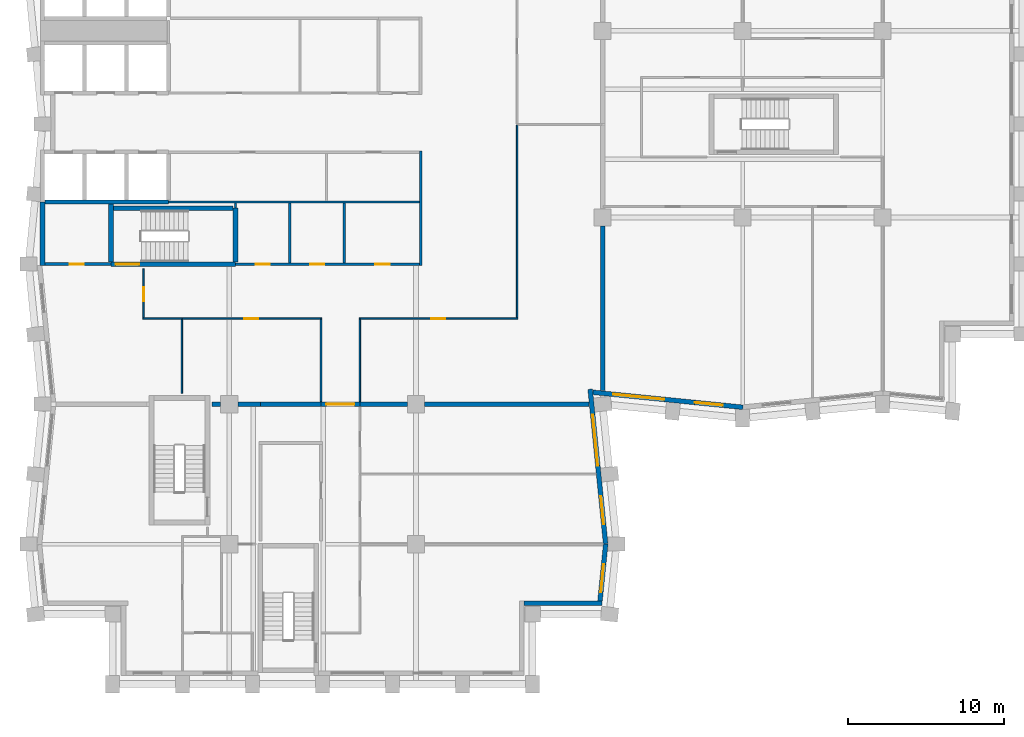
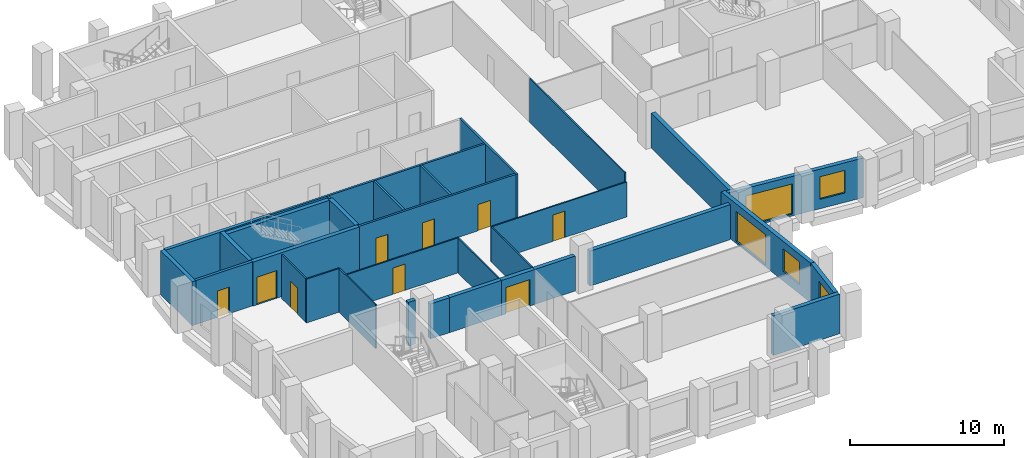
# One storey, part 4 of 10: 32 walls, 9 doors, 5 windows, 14 openings.
"""IFC4 building model written with IfcOpenShell, lengths in metres."""

import ifcopenshell
import ifcopenshell.guid

model = None  # the IFC model being written
_history = None  # IfcOwnerHistory: only IFC2X3 demands one
_inside = {}  # id of a spatial element -> (the spatial element, [elements in it])
_under = {}  # id of a project, library or spatial element -> (it, [spatial elements below it])
_declared = {}  # id of a project -> (the project, [libraries it declares])
_typed = {}  # id of a type object -> (the type object, [elements of that type])
_made_of = {}  # id of a material, layer set ... -> (it, [elements and type objects made of it])


def new_model(schema):
    """Start an empty IFC model of exactly this schema.

    Asked for "IFC4X3", IfcOpenShell would pick the latest addendum, in which some entities
    have other attributes; the version numbers below select the first issue.
    IFC2X3 requires an IfcOwnerHistory on every rooted entity: one is made here for all.
    """
    global model, _history
    if schema == "IFC4X3":
        model = ifcopenshell.file(schema_version=(4, 3, 0, 0))
    else:
        model = ifcopenshell.file(schema=schema)
    _inside.clear()
    _under.clear()
    _declared.clear()
    _typed.clear()
    _made_of.clear()
    _history = None
    if model.schema == "IFC2X3":
        org = make("IfcOrganization", Name="unknown")
        user = make(
            "IfcPersonAndOrganization",
            ThePerson=make("IfcPerson", FamilyName="unknown"),
            TheOrganization=org,
        )
        app = make(
            "IfcApplication",
            ApplicationDeveloper=org,
            Version="unknown",
            ApplicationFullName="unknown",
            ApplicationIdentifier="unknown",
        )
        _history = make(
            "IfcOwnerHistory",
            OwningUser=user,
            OwningApplication=app,
            ChangeAction="ADDED",
            CreationDate=0,
        )
    return model


def make(cls, **values):
    """One entity of the class cls with the attributes given. An attribute that is None is left unset."""
    return model.create_entity(
        cls, **{name: value for name, value in values.items() if value is not None}
    )


def rooted(cls, **values):
    """An entity with a GlobalId (a new one), such as an element, a storey or a relation."""
    return make(cls, GlobalId=ifcopenshell.guid.new(), OwnerHistory=_history, **values)


def si_unit(unit_type, name, prefix=None):
    """IfcSIUnit, for example si_unit("LENGTHUNIT", "METRE", prefix="MILLI")."""
    return make("IfcSIUnit", UnitType=unit_type, Prefix=prefix, Name=name)


def assignment(units):
    """IfcUnitAssignment: the units of a project."""
    return None if units is None else make("IfcUnitAssignment", Units=units)


def point(xyz):
    """IfcCartesianPoint."""
    return None if xyz is None else make("IfcCartesianPoint", Coordinates=xyz)


def direction(xyz):
    """IfcDirection."""
    return None if xyz is None else make("IfcDirection", DirectionRatios=xyz)


def frame(location, z_axis=None, x_axis=None):
    """IfcAxis2Placement3D, a coordinate frame: its origin and axes. An axis left out is left unset."""
    return make(
        "IfcAxis2Placement3D",
        Location=point(location),
        Axis=direction(z_axis),
        RefDirection=direction(x_axis),
    )


def frame_2d(location, x_axis=None):
    """IfcAxis2Placement2D, a coordinate frame in the plane: its origin and x axis."""
    return make(
        "IfcAxis2Placement2D", Location=point(location), RefDirection=direction(x_axis)
    )


def origin():
    """The frame at (0, 0, 0) with its axes left unset."""
    return frame((0.0, 0.0, 0.0))


def place(relative_to, where):
    """IfcLocalPlacement: puts the frame where relative to a parent placement (None: the world)."""
    return make(
        "IfcLocalPlacement", PlacementRelTo=relative_to, RelativePlacement=where
    )


def context(
    kind, dimensions, precision=None, world=None, true_north=None, identifier=None
):
    """IfcGeometricRepresentationContext, for example the 3D "Model" context."""
    return make(
        "IfcGeometricRepresentationContext",
        ContextIdentifier=identifier,
        ContextType=kind,
        CoordinateSpaceDimension=dimensions,
        Precision=precision,
        WorldCoordinateSystem=world,
        TrueNorth=true_north,
    )


def subcontext(parent, identifier, kind, view, scale=None):
    """IfcGeometricRepresentationSubContext, for example "Body" below "Model"."""
    return make(
        "IfcGeometricRepresentationSubContext",
        ContextIdentifier=identifier,
        ContextType=kind,
        ParentContext=parent,
        TargetScale=scale,
        TargetView=view,
    )


def project(units=None, contexts=None):
    """IfcProject with its units and contexts."""
    return rooted(
        "IfcProject",
        Name="project",
        RepresentationContexts=contexts,
        UnitsInContext=assignment(units),
    )


def spatial(cls, under=None, at=None, **own):
    """A site, building, storey or space (cls), placed at a placement, below another one or the project."""
    s = rooted(cls, ObjectPlacement=at, **own)
    if under is not None:
        _under.setdefault(under.id(), (under, []))[1].append(s)
    return s


def profile(cls, at=None, kind="AREA", **sizes):
    """A parametric profile (cls). Its sizes go by their IFC names, for example OverallWidth=200.0."""
    return make(cls, ProfileType=kind, Position=at, **sizes)


def rectangle(**sizes):
    """IfcRectangleProfileDef."""
    return profile("IfcRectangleProfileDef", **sizes)


def extrude(swept, where, along, depth):
    """IfcExtrudedAreaSolid: the profile swept, set in the frame where, extruded along a direction by depth."""
    return make(
        "IfcExtrudedAreaSolid",
        SweptArea=swept,
        Position=where,
        ExtrudedDirection=direction(along),
        Depth=depth,
    )


def shape(context_of_items, identifier, shape_type, items):
    """IfcShapeRepresentation: the items that make up one representation, for example the "Body"."""
    return make(
        "IfcShapeRepresentation",
        ContextOfItems=context_of_items,
        RepresentationIdentifier=identifier,
        RepresentationType=shape_type,
        Items=items,
    )


def material(Name=None, Category=None):
    """IfcMaterial."""
    return make("IfcMaterial", Name=Name, Category=Category)


def layer(
    of_material, thickness, ventilated=None, Name=None, Category=None, Priority=None
):
    """IfcMaterialLayer: one layer of a wall or slab, of a material (None: an air gap)."""
    return make(
        "IfcMaterialLayer",
        Material=of_material,
        LayerThickness=thickness,
        IsVentilated=ventilated,
        Name=Name,
        Category=Category,
        Priority=Priority,
    )


def layer_set(layers, Name=None):
    """IfcMaterialLayerSet."""
    return make("IfcMaterialLayerSet", MaterialLayers=layers, LayerSetName=Name)


def made_of(thing, what):
    """Note that an element or type object is made of a material, layer set ...; save() writes the relation."""
    if what is not None:
        _made_of.setdefault(what.id(), (what, []))[1].append(thing)
    return thing


def type_object(cls, material=None, **own):
    """A type object (cls), such as IfcWallType, which elements share."""
    return made_of(rooted(cls, **own), material)


def element(
    cls,
    number,
    at=None,
    inside=None,
    cuts=None,
    type_object=None,
    material=None,
    context=None,
    identifier="Body",
    shape_type=None,
    held_by="IfcProductDefinitionShape",
    body=None,
    shapes=None,
    **own,
):
    """One element of the class cls, such as IfcWall. Its Tag is "e" and its number.

    at: its placement. inside: the storey or other place that contains it. cuts: it is an
    opening in that element (IfcRelVoidsElement). A single representation is given by context,
    identifier, shape_type and body (its items); several are given by shapes. held_by: the class
    of the entity that holds the representations. save() writes the other relations.
    """
    e = rooted(cls, Tag="e%d" % number, ObjectPlacement=at, **own)
    if body is not None:
        shapes = [shape(context, identifier, shape_type, body)]
    if shapes is not None:
        e.Representation = make(held_by, Representations=shapes)
    if inside is not None:
        _inside.setdefault(inside.id(), (inside, []))[1].append(e)
    if cuts is not None:
        rooted(
            "IfcRelVoidsElement", RelatingBuildingElement=cuts, RelatedOpeningElement=e
        )
    if type_object is not None:
        _typed.setdefault(type_object.id(), (type_object, []))[1].append(e)
    return made_of(e, material)


def fill(opening, filler):
    """IfcRelFillsElement: the door or window that sits in an opening."""
    return rooted(
        "IfcRelFillsElement",
        RelatingOpeningElement=opening,
        RelatedBuildingElement=filler,
    )


def aggregate(whole, parts):
    """IfcRelAggregates: a whole, such as a stair, and the parts it consists of."""
    return rooted("IfcRelAggregates", RelatingObject=whole, RelatedObjects=parts)


def save(model, path):
    """Write the relations noted so far, then the file.

    IfcRelAggregates (storeys below a building ...), IfcRelContainedInSpatialStructure (elements
    in a storey), IfcRelDefinesByType, IfcRelAssociatesMaterial and IfcRelDeclares: one each for
    every whole, place, type object, material and project.
    """
    for whole, parts in _under.values():
        aggregate(whole, parts)
    for where, things in _inside.values():
        rooted(
            "IfcRelContainedInSpatialStructure",
            RelatedElements=things,
            RelatingStructure=where,
        )
    for kind, things in _typed.values():
        rooted("IfcRelDefinesByType", RelatedObjects=things, RelatingType=kind)
    for what, things in _made_of.values():
        rooted("IfcRelAssociatesMaterial", RelatedObjects=things, RelatingMaterial=what)
    for by, libraries in _declared.values():
        rooted("IfcRelDeclares", RelatingContext=by, RelatedDefinitions=libraries)
    model.write(path)


model = new_model("IFC4")

# Units and contexts
model_context = context("Model", 3, precision=1e-05, world=origin(), true_north=direction((0.0, 1.0)))
body_context = subcontext(model_context, "Body", "Model", "MODEL_VIEW")
ifc_project = project(units=[si_unit("LENGTHUNIT", "METRE"), si_unit("AREAUNIT", "SQUARE_METRE"), si_unit("VOLUMEUNIT", "CUBIC_METRE"), si_unit("PLANEANGLEUNIT", "RADIAN"), si_unit("MASSUNIT", "GRAM", prefix="KILO")], contexts=[model_context])

# Site, building, storey
site_placement = place(None, origin())
site = spatial("IfcSite", under=ifc_project, at=site_placement, CompositionType="ELEMENT")
building_placement = place(site_placement, origin())
building = spatial("IfcBuilding", under=site, at=building_placement, Name="Brondeck Convention Tower", CompositionType="ELEMENT")
storey_placement = place(building_placement, frame((0.0, 0.0, 162.39990234375)))
storey = spatial("IfcBuildingStorey", under=building, at=storey_placement, Name="L39", CompositionType="ELEMENT", Elevation=162.39990234375)

# Walls
ifc_material_1 = material(Name="Concrete compartment wall C30/37", Category="concrete")
ifc_layer_1 = layer(ifc_material_1, 0.300048828125)
ifc_layer_set_1 = layer_set([ifc_layer_1], Name="Compartment wall 300")
wall_type_1 = type_object("IfcWallType", Name="Compartment wall 300", PredefinedType="PARTITIONING", material=ifc_layer_set_1)
wall_1_placement = place(storey_placement, frame((10.89990234375, 27.0, 0.0), z_axis=(0.0, 0.0, 1.0), x_axis=(1.0, 0.0, 0.0)))
element("IfcWall", 1, at=wall_1_placement, inside=storey, type_object=wall_type_1, Name="FLR-L39-W023", PredefinedType="PARTITIONING", context=body_context, shape_type="SweptSolid", body=[
    extrude(rectangle(XDim=0.545166015625, YDim=0.300048828125, at=frame_2d((0.2724609375, 0.0))), origin(), (0.0, 0.0, 1.0), 3.47998046875),
])
wall_2_placement = place(storey_placement, frame((12.554931640625, 27.0, 0.0), z_axis=(0.0, 0.0, 1.0), x_axis=(1.0, 0.0, 0.0)))
element("IfcWall", 2, at=wall_2_placement, inside=storey, type_object=wall_type_1, Name="FLR-L39-W024", PredefinedType="PARTITIONING", context=body_context, shape_type="SweptSolid", body=[
    extrude(rectangle(XDim=1.445068359375, YDim=0.300048828125, at=frame_2d((0.72265625, 0.0))), origin(), (0.0, 0.0, 1.0), 2.780029296875),
])
wall_3_placement = place(storey_placement, frame((14.0, 27.0, 0.0), z_axis=(0.0, 0.0, 1.0), x_axis=(1.0, 0.0, 0.0)))
element("IfcWall", 3, at=wall_3_placement, inside=storey, type_object=wall_type_1, Name="FLR-L39-W025", PredefinedType="PARTITIONING", context=body_context, shape_type="SweptSolid", body=[
    extrude(rectangle(XDim=3.89990234375, YDim=0.300048828125, at=frame_2d((1.949951171875, 0.0))), origin(), (0.0, 0.0, 1.0), 2.780029296875),
])

# Wall, opening, door
wall_4_placement = place(storey_placement, frame((20.39990234375, 27.0, 0.0), z_axis=(0.0, 0.0, 1.0), x_axis=(-1.0, 0.0, 0.0)))
wall_4 = element("IfcWall", 4, at=wall_4_placement, inside=storey, type_object=wall_type_1, Name="FLR-L39-W026", PredefinedType="PARTITIONING", context=body_context, shape_type="SweptSolid", body=[
    extrude(rectangle(XDim=2.5, YDim=0.300048828125, at=frame_2d((1.25, 0.0))), origin(), (0.0, 0.0, 1.0), 2.780029296875),
])
opening_1_placement = place(wall_4_placement, frame((0.35009765625, 0.0, 0.0)))
opening_1 = element("IfcOpeningElement", 5, at=opening_1_placement, cuts=wall_4, Name="Opening OF-G-017", PredefinedType="OPENING", context=body_context, shape_type="SweptSolid", body=[
    extrude(rectangle(XDim=1.800048828125, YDim=2.10009765625, at=frame_2d((0.89990234375, 1.050048828125))), frame((0.0, 0.159912109375, 0.0), z_axis=(0.0, -1.0, 0.0), x_axis=(1.0, 0.0, 0.0)), (0.0, 0.0, 1.0), 0.320068359375),
])
ifc_material_2 = material(Name="Steel fire door pair", Category="steel")
door_type_1 = type_object("IfcDoorType", Name="Fire door pair 1800", OperationType="DOUBLE_DOOR_SINGLE_SWING", PredefinedType="DOOR", material=ifc_material_2)
door_1_placement = place(opening_1_placement, origin())
door_1 = element("IfcDoor", 6, at=door_1_placement, inside=storey, type_object=door_type_1, Name="Door OF-G-017", OperationType="DOUBLE_DOOR_SINGLE_SWING", OverallHeight=2.10009765625, OverallWidth=1.800048828125, PredefinedType="DOOR", context=body_context, shape_type="SweptSolid", body=[
    extrude(rectangle(XDim=1.800048828125, YDim=2.10009765625, at=frame_2d((0.89990234375, 1.050048828125))), frame((0.0, 0.02490234375, 0.0), z_axis=(0.0, -1.0, 0.0), x_axis=(1.0, 0.0, 0.0)), (0.0, 0.0, 1.0), 0.050048828125),
])
fill(opening_1, door_1)

# Walls
wall_5_placement = place(storey_placement, frame((20.39990234375, 27.0, 0.0), z_axis=(0.0, 0.0, 1.0), x_axis=(1.0, 0.0, 0.0)))
element("IfcWall", 7, at=wall_5_placement, inside=storey, type_object=wall_type_1, Name="FLR-L39-W027", PredefinedType="PARTITIONING", context=body_context, shape_type="SweptSolid", body=[
    extrude(rectangle(XDim=3.045166015625, YDim=0.300048828125, at=frame_2d((1.5224609375, 0.0))), origin(), (0.0, 0.0, 1.0), 2.780029296875),
])
for number, where, z_axis, x_axis, name in (
    (8, (24.554931640625, 27.0, 0.0), (0.0, 0.0, 1.0), (1.0, 0.0, 0.0), "FLR-L39-W028"),
    (9, (36.0, 27.874267578125, 0.0), (0.0, 0.0, 1.0), (0.0, 1.0, 0.0), "FLR-L39-W031"),
):
    element("IfcWall", number, at=place(storey_placement, frame(where, z_axis=z_axis, x_axis=x_axis)), inside=storey, type_object=wall_type_1, Name=name, PredefinedType="PARTITIONING", context=body_context, shape_type="SweptSolid", body=[
        extrude(rectangle(XDim=10.57080078125, YDim=0.300048828125, at=frame_2d((5.285400390625, 0.0))), origin(), (0.0, 0.0, 1.0), 2.780029296875),
    ])

# Wall, openings, doors
ifc_material_3 = material(Name="Concrete C70/85", Category="concrete")
ifc_layer_2 = layer(ifc_material_3, 0.14990234375)
ifc_layer_set_2 = layer_set([ifc_layer_2], Name="Core beam-seat wall 150 Concrete C70/85")
wall_type_2 = type_object("IfcWallType", Name="Core beam-seat wall 150 Concrete C70/85", PredefinedType="SHEAR", material=ifc_layer_set_2)
wall_6_placement = place(storey_placement, frame((12.39990234375, 36.0, 0.0), z_axis=(0.0, 0.0, 1.0), x_axis=(1.0, 0.0, 0.0)))
wall_6 = element("IfcWall", 10, at=wall_6_placement, inside=storey, type_object=wall_type_2, Name="L39 core wall", PredefinedType="SHEAR", context=body_context, shape_type="SweptSolid", body=[
    extrude(rectangle(XDim=11.8251953125, YDim=0.14990234375, at=frame_2d((5.91259765625, 0.0))), origin(), (0.0, 0.0, 1.0), 3.5),
])
opening_2_placement = place(wall_6_placement, frame((1.300048828125, 0.0, 0.0)))
opening_2 = element("IfcOpeningElement", 11, at=opening_2_placement, cuts=wall_6, Name="Opening C22-03", PredefinedType="OPENING", context=body_context, shape_type="SweptSolid", body=[
    extrude(rectangle(XDim=0.89990234375, YDim=2.10009765625, at=frame_2d((0.449951171875, 1.050048828125))), frame((0.0, 0.0849609375, 0.0), z_axis=(0.0, -1.0, 0.0), x_axis=(1.0, 0.0, 0.0)), (0.0, 0.0, 1.0), 0.169921875),
])
opening_3_placement = place(wall_6_placement, frame((4.800048828125, 0.0, 0.0)))
opening_3 = element("IfcOpeningElement", 12, at=opening_3_placement, cuts=wall_6, Name="Opening C22-04", PredefinedType="OPENING", context=body_context, shape_type="SweptSolid", body=[
    extrude(rectangle(XDim=0.89990234375, YDim=2.10009765625, at=frame_2d((0.449951171875, 1.050048828125))), frame((0.0, 0.0849609375, 0.0), z_axis=(0.0, -1.0, 0.0), x_axis=(1.0, 0.0, 0.0)), (0.0, 0.0, 1.0), 0.169921875),
])
opening_4_placement = place(wall_6_placement, frame((8.97509765625, 0.0, 0.0)))
opening_4 = element("IfcOpeningElement", 13, at=opening_4_placement, cuts=wall_6, Name="Opening C22-05", PredefinedType="OPENING", context=body_context, shape_type="SweptSolid", body=[
    extrude(rectangle(XDim=0.949951171875, YDim=2.10009765625, at=frame_2d((0.47509765625, 1.050048828125))), frame((0.0, 0.0849609375, 0.0), z_axis=(0.0, -1.0, 0.0), x_axis=(1.0, 0.0, 0.0)), (0.0, 0.0, 1.0), 0.169921875),
])
ifc_material_4 = material(Name="Steel fire door", Category="steel")
door_type_2 = type_object("IfcDoorType", Name="Room door 900x2100 EI 60", OperationType="NOTDEFINED", PredefinedType="DOOR", material=ifc_material_4)
door_2_placement = place(opening_2_placement, origin())
door_2 = element("IfcDoor", 14, at=door_2_placement, inside=storey, type_object=door_type_2, Name="L39 Room door FR-1", OperationType="SINGLE_SWING_RIGHT", OverallHeight=2.10009765625, OverallWidth=0.89990234375, PredefinedType="DOOR", context=body_context, shape_type="SweptSolid", body=[
    extrude(rectangle(XDim=0.89990234375, YDim=2.10009765625, at=frame_2d((0.449951171875, 1.050048828125))), frame((0.0, 0.02490234375, 0.0), z_axis=(0.0, -1.0, 0.0), x_axis=(1.0, 0.0, 0.0)), (0.0, 0.0, 1.0), 0.050048828125),
])
fill(opening_2, door_2)
door_3_placement = place(opening_3_placement, origin())
door_3 = element("IfcDoor", 15, at=door_3_placement, inside=storey, type_object=door_type_2, Name="L39 Room door FR-2", OperationType="SINGLE_SWING_LEFT", OverallHeight=2.10009765625, OverallWidth=0.89990234375, PredefinedType="DOOR", context=body_context, shape_type="SweptSolid", body=[
    extrude(rectangle(XDim=0.89990234375, YDim=2.10009765625, at=frame_2d((0.449951171875, 1.050048828125))), frame((0.0, 0.02490234375, 0.0), z_axis=(0.0, -1.0, 0.0), x_axis=(1.0, 0.0, 0.0)), (0.0, 0.0, 1.0), 0.050048828125),
])
fill(opening_3, door_3)
door_type_3 = type_object("IfcDoorType", Name="Room door 950x2100 EI 60", OperationType="NOTDEFINED", PredefinedType="DOOR", material=ifc_material_4)
door_4_placement = place(opening_4_placement, origin())
door_4 = element("IfcDoor", 16, at=door_4_placement, inside=storey, type_object=door_type_3, Name="L39 Room door FR-3", OperationType="SINGLE_SWING_RIGHT", OverallHeight=2.10009765625, OverallWidth=0.949951171875, PredefinedType="DOOR", context=body_context, shape_type="SweptSolid", body=[
    extrude(rectangle(XDim=0.949951171875, YDim=2.10009765625, at=frame_2d((0.47509765625, 1.050048828125))), frame((0.0, 0.02490234375, 0.0), z_axis=(0.0, -1.0, 0.0), x_axis=(1.0, 0.0, 0.0)), (0.0, 0.0, 1.0), 0.050048828125),
])
fill(opening_4, door_4)

# Walls
ifc_layer_3 = layer(ifc_material_3, 0.300048828125)
ifc_layer_set_3 = layer_set([ifc_layer_3], Name="Core outer wall 300 Concrete C70/85")
wall_type_3 = type_object("IfcWallType", Name="Core outer wall 300 Concrete C70/85", PredefinedType="SHEAR", material=ifc_layer_set_3)
wall_7_placement = place(storey_placement, frame((0.0, 35.89990234375, 0.0), z_axis=(0.0, 0.0, 1.0), x_axis=(0.0, 1.0, 0.0)))
element("IfcWall", 17, at=wall_7_placement, inside=storey, type_object=wall_type_3, Name="L39 core wall", PredefinedType="SHEAR", context=body_context, shape_type="SweptSolid", body=[
    extrude(rectangle(XDim=4.10009765625, YDim=0.300048828125, at=frame_2d((2.050048828125, 0.0))), origin(), (0.0, 0.0, 1.0), 3.5),
])
ifc_material_5 = material(Name="Fire-rated gypsum board partition")
ifc_layer_4 = layer(ifc_material_5, 0.14990234375)
ifc_layer_set_4 = layer_set([ifc_layer_4], Name="Core partition 150 EI 60")
wall_type_4 = type_object("IfcWallType", Name="Core partition 150 EI 60", PredefinedType="PARTITIONING", material=ifc_layer_set_4)
wall_8_placement = place(storey_placement, frame((8.10009765625, 40.0, 0.0), z_axis=(0.0, 0.0, 1.0), x_axis=(1.0, 0.0, 0.0)))
element("IfcWall", 18, at=wall_8_placement, inside=storey, type_object=wall_type_4, Name="L39 core wall", PredefinedType="PARTITIONING", context=body_context, shape_type="SweptSolid", body=[
    extrude(rectangle(XDim=16.125, YDim=0.14990234375, at=frame_2d((8.0625, 0.0))), origin(), (0.0, 0.0, 1.0), 3.5),
])
wall_9_placement = place(storey_placement, frame((12.39990234375, 39.60009765625, 0.0), z_axis=(0.0, 0.0, 1.0), x_axis=(0.0, 1.0, 0.0)))
element("IfcWall", 19, at=wall_9_placement, inside=storey, type_object=wall_type_4, Name="L39 core wall", PredefinedType="PARTITIONING", context=body_context, shape_type="SweptSolid", body=[
    extrude(rectangle(XDim=0.324951171875, YDim=0.14990234375, at=frame_2d((0.16259765625, 0.0))), origin(), (0.0, 0.0, 1.0), 3.5),
])
for number, where, z_axis, x_axis, name in (
    (20, (15.89990234375, 36.074951171875, 0.0), (0.0, 0.0, 1.0), (0.0, 1.0, 0.0), "L39 core wall"),
    (21, (19.39990234375, 36.074951171875, 0.0), (0.0, 0.0, 1.0), (0.0, 1.0, 0.0), "L39 core wall"),
):
    element("IfcWall", number, at=place(storey_placement, frame(where, z_axis=z_axis, x_axis=x_axis)), inside=storey, type_object=wall_type_4, Name=name, PredefinedType="PARTITIONING", context=body_context, shape_type="SweptSolid", body=[
        extrude(rectangle(XDim=3.85009765625, YDim=0.14990234375, at=frame_2d((1.925048828125, 0.0))), origin(), (0.0, 0.0, 1.0), 3.5),
    ])
wall_10_placement = place(storey_placement, frame((24.300048828125, 35.925048828125, 0.0), z_axis=(0.0, 0.0, 1.0), x_axis=(0.0, 1.0, 0.0)))
element("IfcWall", 22, at=wall_10_placement, inside=storey, type_object=wall_type_4, Name="L39 core wall", PredefinedType="PARTITIONING", context=body_context, shape_type="SweptSolid", body=[
    extrude(rectangle(XDim=7.349853515625, YDim=0.14990234375, at=frame_2d((3.6748046875, 0.0))), origin(), (0.0, 0.0, 1.0), 3.5),
])
ifc_material_6 = material(Name="Precast concrete C50/60 bronze finish", Category="concrete")
ifc_layer_5 = layer(ifc_material_6, 0.070068359375, Name="Bronze precast facing")
ifc_material_7 = material(Name="Mineral wool")
ifc_layer_6 = layer(ifc_material_7, 0.159912109375, Name="Insulation")
ifc_material_8 = material(Name="Concrete C35/45", Category="concrete")
ifc_layer_7 = layer(ifc_material_8, 0.070068359375, Name="Backing")
ifc_layer_set_5 = layer_set([ifc_layer_5, ifc_layer_6, ifc_layer_7], Name="External infill wall, precast concrete C50/60 bronze facing")
wall_type_5 = type_object("IfcWallType", Name="External infill wall, precast concrete C50/60 bronze facing", PredefinedType="SOLIDWALL", material=ifc_layer_set_5)
wall_11_placement = place(storey_placement, frame((35.952392578125, 14.199951171875, 0.0), z_axis=(0.0, 0.0, 1.0), x_axis=(-1.0, 0.0, 0.0)))
element("IfcWall", 23, at=wall_11_placement, inside=storey, type_object=wall_type_5, Name="ENV-EW-L39-P1-NC-SEB9-02", PredefinedType="SOLIDWALL", context=body_context, shape_type="SweptSolid", body=[
    extrude(rectangle(XDim=5.00244140625, YDim=0.300048828125, at=frame_2d((2.501220703125, 0.0))), origin(), (0.0, 0.0, 1.0), 3.150146484375),
])

# Wall, opening, window
wall_12_placement = place(storey_placement, frame((36.197998046875, 18.014892578125, 0.0), z_axis=(0.0, 0.0, 1.0), x_axis=(-0.099529980022, -0.99503456376, 0.0)))
wall_12 = element("IfcWall", 24, at=wall_12_placement, inside=storey, type_object=wall_type_5, Name="ENV-EW-L39-P1-B-E-02", PredefinedType="SOLIDWALL", context=body_context, shape_type="SweptSolid", body=[
    extrude(rectangle(XDim=3.681884765625, YDim=0.300048828125, at=frame_2d((1.8408203125, 0.0))), origin(), (0.0, 0.0, 1.0), 3.150146484375),
])
opening_5_placement = place(wall_12_placement, frame((1.30615234375, 0.0, 0.75)))
opening_5 = element("IfcOpeningElement", 25, at=opening_5_placement, cuts=wall_12, Name="Opening W10", PredefinedType="OPENING", context=body_context, shape_type="SweptSolid", body=[
    extrude(rectangle(XDim=1.800048828125, YDim=1.800048828125, at=frame_2d((0.89990234375, 0.89990234375))), frame((0.0, 0.159912109375, 0.0), z_axis=(0.0, -1.0, 0.0), x_axis=(1.0, 0.0, 0.0)), (0.0, 0.0, 1.0), 0.320068359375),
])
ifc_material_9 = material(Name="Bronze tinted double glazing", Category="glass")
window_type_1 = type_object("IfcWindowType", Name="Punched window, bronze tinted", PartitioningType="SINGLE_PANEL", PredefinedType="WINDOW", material=ifc_material_9)
window_1_placement = place(opening_5_placement, origin())
window_1 = element("IfcWindow", 26, at=window_1_placement, inside=storey, type_object=window_type_1, Name="ENV-WN-L39-P1-B-E-02", OverallHeight=1.800048828125, OverallWidth=1.800048828125, PartitioningType="SINGLE_PANEL", PredefinedType="WINDOW", context=body_context, shape_type="SweptSolid", body=[
    extrude(rectangle(XDim=1.800048828125, YDim=1.800048828125, at=frame_2d((0.89990234375, 0.89990234375))), frame((0.0, 0.030029296875, 0.0), z_axis=(0.0, -1.0, 0.0), x_axis=(1.0, 0.0, 0.0)), (0.0, 0.0, 1.0), 0.06005859375),
])
fill(opening_5, window_1)

# Wall, openings, windows
wall_13_placement = place(storey_placement, frame((35.2001953125, 27.964111328125, 0.0), z_axis=(0.0, 0.0, 1.0), x_axis=(0.099501297882, -0.995037432321, 0.0)))
wall_13 = element("IfcWall", 27, at=wall_13_placement, inside=storey, type_object=wall_type_5, Name="ENV-EW-L39-P1-B-E-01", PredefinedType="SOLIDWALL", context=body_context, shape_type="SweptSolid", body=[
    extrude(rectangle(XDim=9.98388671875, YDim=0.300048828125, at=frame_2d((4.991943359375, 0.0))), origin(), (0.0, 0.0, 1.0), 3.150146484375),
])
opening_6_placement = place(wall_13_placement, frame((1.650146484375, 0.0, 0.14990234375)))
opening_6 = element("IfcOpeningElement", 28, at=opening_6_placement, cuts=wall_13, Name="Opening W9", PredefinedType="OPENING", context=body_context, shape_type="SweptSolid", body=[
    extrude(rectangle(XDim=3.300048828125, YDim=2.39990234375, at=frame_2d((1.64990234375, 1.199951171875))), frame((0.0, 0.159912109375, 0.0), z_axis=(0.0, -1.0, 0.0), x_axis=(1.0, 0.0, 0.0)), (0.0, 0.0, 1.0), 0.320068359375),
])
opening_7_placement = place(wall_13_placement, frame((6.922607421875, 0.0, 0.75)))
opening_7 = element("IfcOpeningElement", 29, at=opening_7_placement, cuts=wall_13, Name="Opening W10", PredefinedType="OPENING", context=body_context, shape_type="SweptSolid", body=[
    extrude(rectangle(XDim=1.800048828125, YDim=1.800048828125, at=frame_2d((0.89990234375, 0.89990234375))), frame((0.0, 0.159912109375, 0.0), z_axis=(0.0, -1.0, 0.0), x_axis=(1.0, 0.0, 0.0)), (0.0, 0.0, 1.0), 0.320068359375),
])
window_type_2 = type_object("IfcWindowType", Name="Glazed flute window, bronze tinted", PartitioningType="SINGLE_PANEL", PredefinedType="WINDOW", material=ifc_material_9)
window_2_placement = place(opening_6_placement, origin())
window_2 = element("IfcWindow", 30, at=window_2_placement, inside=storey, type_object=window_type_2, Name="ENV-WN-L39-P1-B-E-00", OverallHeight=2.39990234375, OverallWidth=3.300048828125, PartitioningType="SINGLE_PANEL", PredefinedType="WINDOW", context=body_context, shape_type="SweptSolid", body=[
    extrude(rectangle(XDim=3.300048828125, YDim=2.39990234375, at=frame_2d((1.64990234375, 1.199951171875))), frame((0.0, 0.030029296875, 0.0), z_axis=(0.0, -1.0, 0.0), x_axis=(1.0, 0.0, 0.0)), (0.0, 0.0, 1.0), 0.06005859375),
])
fill(opening_6, window_2)
window_3_placement = place(opening_7_placement, origin())
window_3 = element("IfcWindow", 31, at=window_3_placement, inside=storey, type_object=window_type_1, Name="ENV-WN-L39-P1-B-E-01", OverallHeight=1.800048828125, OverallWidth=1.800048828125, PartitioningType="SINGLE_PANEL", PredefinedType="WINDOW", context=body_context, shape_type="SweptSolid", body=[
    extrude(rectangle(XDim=1.800048828125, YDim=1.800048828125, at=frame_2d((0.89990234375, 0.89990234375))), frame((0.0, 0.030029296875, 0.0), z_axis=(0.0, -1.0, 0.0), x_axis=(1.0, 0.0, 0.0)), (0.0, 0.0, 1.0), 0.06005859375),
])
fill(opening_7, window_3)

wall_14_placement = place(storey_placement, frame((45.014892578125, 26.802001953125, 0.0), z_axis=(0.0, 0.0, 1.0), x_axis=(-0.995037689759, 0.099498723402, 0.0)))
wall_14 = element("IfcWall", 32, at=wall_14_placement, inside=storey, type_object=wall_type_5, Name="ENV-EW-L39-P1-A-S-00", PredefinedType="SOLIDWALL", context=body_context, shape_type="SweptSolid", body=[
    extrude(rectangle(XDim=9.677490234375, YDim=0.300048828125, at=frame_2d((4.8388671875, 0.0))), origin(), (0.0, 0.0, 1.0), 3.150146484375),
])
opening_8_placement = place(wall_14_placement, frame((1.30615234375, 0.0, 0.75)))
opening_8 = element("IfcOpeningElement", 33, at=opening_8_placement, cuts=wall_14, Name="Opening W10", PredefinedType="OPENING", context=body_context, shape_type="SweptSolid", body=[
    extrude(rectangle(XDim=1.800048828125, YDim=1.800048828125, at=frame_2d((0.89990234375, 0.89990234375))), frame((0.0, 0.159912109375, 0.0), z_axis=(0.0, -1.0, 0.0), x_axis=(1.0, 0.0, 0.0)), (0.0, 0.0, 1.0), 0.320068359375),
])
opening_9_placement = place(wall_14_placement, frame((5.07861328125, 0.0, 0.14990234375)))
opening_9 = element("IfcOpeningElement", 34, at=opening_9_placement, cuts=wall_14, Name="Opening W9", PredefinedType="OPENING", context=body_context, shape_type="SweptSolid", body=[
    extrude(rectangle(XDim=3.300048828125, YDim=2.39990234375, at=frame_2d((1.64990234375, 1.199951171875))), frame((0.0, 0.159912109375, 0.0), z_axis=(0.0, -1.0, 0.0), x_axis=(1.0, 0.0, 0.0)), (0.0, 0.0, 1.0), 0.320068359375),
])
window_4_placement = place(opening_9_placement, origin())
window_4 = element("IfcWindow", 35, at=window_4_placement, inside=storey, type_object=window_type_2, Name="ENV-WN-L39-P1-A-S-00", OverallHeight=2.39990234375, OverallWidth=3.300048828125, PartitioningType="SINGLE_PANEL", PredefinedType="WINDOW", context=body_context, shape_type="SweptSolid", body=[
    extrude(rectangle(XDim=3.300048828125, YDim=2.39990234375, at=frame_2d((1.64990234375, 1.199951171875))), frame((0.0, 0.030029296875, 0.0), z_axis=(0.0, -1.0, 0.0), x_axis=(1.0, 0.0, 0.0)), (0.0, 0.0, 1.0), 0.06005859375),
])
fill(opening_9, window_4)
window_5_placement = place(opening_8_placement, origin())
window_5 = element("IfcWindow", 36, at=window_5_placement, inside=storey, type_object=window_type_1, Name="ENV-WN-L39-P1-A-S-01", OverallHeight=1.800048828125, OverallWidth=1.800048828125, PartitioningType="SINGLE_PANEL", PredefinedType="WINDOW", context=body_context, shape_type="SweptSolid", body=[
    extrude(rectangle(XDim=1.800048828125, YDim=1.800048828125, at=frame_2d((0.89990234375, 0.89990234375))), frame((0.0, 0.030029296875, 0.0), z_axis=(0.0, -1.0, 0.0), x_axis=(1.0, 0.0, 0.0)), (0.0, 0.0, 1.0), 0.06005859375),
])
fill(opening_8, window_5)

# Wall
ifc_layer_8 = layer(ifc_material_3, 0.25)
ifc_layer_set_6 = layer_set([ifc_layer_8], Name="Lift shaft wall 250 Concrete C70/85")
wall_type_6 = type_object("IfcWallType", Name="Lift shaft wall 250 Concrete C70/85", PredefinedType="SHEAR", material=ifc_layer_set_6)
wall_15_placement = place(storey_placement, frame((0.14990234375, 40.0, 0.0), z_axis=(0.0, 0.0, 1.0), x_axis=(1.0, 0.0, 0.0)))
element("IfcWall", 37, at=wall_15_placement, inside=storey, type_object=wall_type_6, Name="L39 core wall", PredefinedType="SHEAR", context=body_context, shape_type="SweptSolid", body=[
    extrude(rectangle(XDim=7.9501953125, YDim=0.25, at=frame_2d((3.97509765625, 0.0))), origin(), (0.0, 0.0, 1.0), 3.5),
])

# Wall, opening, door
ifc_layer_9 = layer(ifc_material_5, 0.199951171875)
ifc_layer_set_7 = layer_set([ifc_layer_9], Name="Riser wall 200 EI 120")
wall_type_7 = type_object("IfcWallType", Name="Riser wall 200 EI 120", PredefinedType="PARTITIONING", material=ifc_layer_set_7)
wall_16_placement = place(storey_placement, frame((0.14990234375, 36.0, 0.0), z_axis=(0.0, 0.0, 1.0), x_axis=(1.0, 0.0, 0.0)))
wall_16 = element("IfcWall", 38, at=wall_16_placement, inside=storey, type_object=wall_type_7, Name="L39 core wall", PredefinedType="PARTITIONING", context=body_context, shape_type="SweptSolid", body=[
    extrude(rectangle(XDim=4.25, YDim=0.199951171875, at=frame_2d((2.125, 0.0))), origin(), (0.0, 0.0, 1.0), 3.5),
])
opening_10_placement = place(wall_16_placement, frame((1.60009765625, 0.0, 0.0)))
opening_10 = element("IfcOpeningElement", 39, at=opening_10_placement, cuts=wall_16, Name="Opening C22-06", PredefinedType="OPENING", context=body_context, shape_type="SweptSolid", body=[
    extrude(rectangle(XDim=0.89990234375, YDim=2.10009765625, at=frame_2d((0.449951171875, 1.050048828125))), frame((0.0, 0.10986328125, 0.0), z_axis=(0.0, -1.0, 0.0), x_axis=(1.0, 0.0, 0.0)), (0.0, 0.0, 1.0), 0.219970703125),
])
door_type_4 = type_object("IfcDoorType", Name="Riser door 900x2100 EI 120", OperationType="NOTDEFINED", PredefinedType="DOOR", material=ifc_material_4)
door_5_placement = place(opening_10_placement, origin())
door_5 = element("IfcDoor", 40, at=door_5_placement, inside=storey, type_object=door_type_4, Name="L39 Riser door FRW-1", OperationType="SINGLE_SWING_LEFT", OverallHeight=2.10009765625, OverallWidth=0.89990234375, PredefinedType="DOOR", context=body_context, shape_type="SweptSolid", body=[
    extrude(rectangle(XDim=0.89990234375, YDim=2.10009765625, at=frame_2d((0.449951171875, 1.050048828125))), frame((0.0, 0.02490234375, 0.0), z_axis=(0.0, -1.0, 0.0), x_axis=(1.0, 0.0, 0.0)), (0.0, 0.0, 1.0), 0.050048828125),
])
fill(opening_10, door_5)

# Walls
ifc_material_10 = material(Name="Gypsum board partition on steel studs", Category="steel")
ifc_layer_10 = layer(ifc_material_10, 0.10009765625)
ifc_layer_set_8 = layer_set([ifc_layer_10], Name="Room partition 100")
wall_type_8 = type_object("IfcWallType", Name="Room partition 100", PredefinedType="PARTITIONING", material=ifc_layer_set_8)
wall_17_placement = place(storey_placement, frame((17.89990234375, 27.169921875, 0.0), z_axis=(0.0, 0.0, 1.0), x_axis=(0.0, 1.0, 0.0)))
element("IfcWall", 41, at=wall_17_placement, inside=storey, type_object=wall_type_8, Name="FLR-L39-W029", PredefinedType="PARTITIONING", context=body_context, shape_type="SweptSolid", body=[
    extrude(rectangle(XDim=5.280029296875, YDim=0.10009765625, at=frame_2d((2.64013671875, 0.0))), origin(), (0.0, 0.0, 1.0), 2.780029296875),
])
wall_18_placement = place(storey_placement, frame((8.9599609375, 32.449951171875, 0.0), z_axis=(0.0, 0.0, 1.0), x_axis=(0.0, -1.0, 0.0)))
element("IfcWall", 42, at=wall_18_placement, inside=storey, type_object=wall_type_8, Name="FLR-L39-W032", PredefinedType="PARTITIONING", context=body_context, shape_type="SweptSolid", body=[
    extrude(rectangle(XDim=4.75, YDim=0.10009765625, at=frame_2d((2.375, 0.0))), origin(), (0.0, 0.0, 1.0), 3.47998046875),
])
wall_19_placement = place(storey_placement, frame((20.39990234375, 32.449951171875, 0.0), z_axis=(0.0, 0.0, 1.0), x_axis=(0.0, -1.0, 0.0)))
element("IfcWall", 43, at=wall_19_placement, inside=storey, type_object=wall_type_8, Name="FLR-L39-W033", PredefinedType="PARTITIONING", context=body_context, shape_type="SweptSolid", body=[
    extrude(rectangle(XDim=5.280029296875, YDim=0.10009765625, at=frame_2d((2.64013671875, 0.0))), origin(), (0.0, 0.0, 1.0), 2.780029296875),
])
wall_20_placement = place(storey_placement, frame((8.9599609375, 32.5, 0.0), z_axis=(0.0, 0.0, 1.0), x_axis=(-1.0, 0.0, 0.0)))
element("IfcWall", 44, at=wall_20_placement, inside=storey, type_object=wall_type_8, Name="FLR-L39-W034", PredefinedType="PARTITIONING", context=body_context, shape_type="SweptSolid", body=[
    extrude(rectangle(XDim=2.510009765625, YDim=0.10009765625, at=frame_2d((1.2548828125, 0.0))), origin(), (0.0, 0.0, 1.0), 3.47998046875),
])

# Wall, opening, door
wall_21_placement = place(storey_placement, frame((17.949951171875, 32.5, 0.0), z_axis=(0.0, 0.0, 1.0), x_axis=(-1.0, 0.0, 0.0)))
wall_21 = element("IfcWall", 45, at=wall_21_placement, inside=storey, type_object=wall_type_8, Name="FLR-L39-W035", PredefinedType="PARTITIONING", context=body_context, shape_type="SweptSolid", body=[
    extrude(rectangle(XDim=8.989990234375, YDim=0.10009765625, at=frame_2d((4.4951171875, 0.0))), origin(), (0.0, 0.0, 1.0), 2.780029296875),
])
opening_11_placement = place(wall_21_placement, frame((4.070068359375, 0.0, 0.0)))
opening_11 = element("IfcOpeningElement", 46, at=opening_11_placement, cuts=wall_21, Name="Opening OF-G-014", PredefinedType="OPENING", context=body_context, shape_type="SweptSolid", body=[
    extrude(rectangle(XDim=0.89990234375, YDim=2.10009765625, at=frame_2d((0.449951171875, 1.050048828125))), frame((0.0, 0.06005859375, 0.0), z_axis=(0.0, -1.0, 0.0), x_axis=(1.0, 0.0, 0.0)), (0.0, 0.0, 1.0), 0.1201171875),
])
ifc_material_11 = material(Name="Solid timber door leaf", Category="wood")
door_type_5 = type_object("IfcDoorType", Name="Single door 900", OperationType="NOTDEFINED", PredefinedType="DOOR", material=ifc_material_11)
door_6_placement = place(opening_11_placement, origin())
door_6 = element("IfcDoor", 47, at=door_6_placement, inside=storey, type_object=door_type_5, Name="Door OF-G-014", OperationType="SINGLE_SWING_LEFT", OverallHeight=2.10009765625, OverallWidth=0.89990234375, PredefinedType="DOOR", context=body_context, shape_type="SweptSolid", body=[
    extrude(rectangle(XDim=0.89990234375, YDim=2.10009765625, at=frame_2d((0.449951171875, 1.050048828125))), frame((0.0, 0.02490234375, 0.0), z_axis=(0.0, -1.0, 0.0), x_axis=(1.0, 0.0, 0.0)), (0.0, 0.0, 1.0), 0.050048828125),
])
fill(opening_11, door_6)

wall_22_placement = place(storey_placement, frame((30.550048828125, 32.5, 0.0), z_axis=(0.0, 0.0, 1.0), x_axis=(-1.0, 0.0, 0.0)))
wall_22 = element("IfcWall", 48, at=wall_22_placement, inside=storey, type_object=wall_type_8, Name="FLR-L39-W036", PredefinedType="PARTITIONING", context=body_context, shape_type="SweptSolid", body=[
    extrude(rectangle(XDim=10.199951171875, YDim=0.10009765625, at=frame_2d((5.10009765625, 0.0))), origin(), (0.0, 0.0, 1.0), 2.780029296875),
])
opening_12_placement = place(wall_22_placement, frame((4.64990234375, 0.0, 0.0)))
opening_12 = element("IfcOpeningElement", 49, at=opening_12_placement, cuts=wall_22, Name="Opening OF-G-015", PredefinedType="OPENING", context=body_context, shape_type="SweptSolid", body=[
    extrude(rectangle(XDim=0.89990234375, YDim=2.10009765625, at=frame_2d((0.449951171875, 1.050048828125))), frame((0.0, 0.06005859375, 0.0), z_axis=(0.0, -1.0, 0.0), x_axis=(1.0, 0.0, 0.0)), (0.0, 0.0, 1.0), 0.1201171875),
])
door_7_placement = place(opening_12_placement, origin())
door_7 = element("IfcDoor", 50, at=door_7_placement, inside=storey, type_object=door_type_5, Name="Door OF-G-015", OperationType="SINGLE_SWING_LEFT", OverallHeight=2.10009765625, OverallWidth=0.89990234375, PredefinedType="DOOR", context=body_context, shape_type="SweptSolid", body=[
    extrude(rectangle(XDim=0.89990234375, YDim=2.10009765625, at=frame_2d((0.449951171875, 1.050048828125))), frame((0.0, 0.02490234375, 0.0), z_axis=(0.0, -1.0, 0.0), x_axis=(1.0, 0.0, 0.0)), (0.0, 0.0, 1.0), 0.050048828125),
])
fill(opening_12, door_7)

wall_23_placement = place(storey_placement, frame((6.5, 32.550048828125, 0.0), z_axis=(0.0, 0.0, 1.0), x_axis=(0.0, 1.0, 0.0)))
wall_23 = element("IfcWall", 51, at=wall_23_placement, inside=storey, type_object=wall_type_8, Name="FLR-L39-W037", PredefinedType="PARTITIONING", context=body_context, shape_type="SweptSolid", body=[
    extrude(rectangle(XDim=3.14990234375, YDim=0.10009765625, at=frame_2d((1.574951171875, 0.0))), origin(), (0.0, 0.0, 1.0), 3.47998046875),
])
opening_13_placement = place(wall_23_placement, frame((1.074951171875, 0.0, 0.0)))
opening_13 = element("IfcOpeningElement", 52, at=opening_13_placement, cuts=wall_23, Name="Opening OF-G-013", PredefinedType="OPENING", context=body_context, shape_type="SweptSolid", body=[
    extrude(rectangle(XDim=0.89990234375, YDim=2.10009765625, at=frame_2d((0.449951171875, 1.050048828125))), frame((0.0, 0.06005859375, 0.0), z_axis=(0.0, -1.0, 0.0), x_axis=(1.0, 0.0, 0.0)), (0.0, 0.0, 1.0), 0.1201171875),
])
door_8_placement = place(opening_13_placement, origin())
door_8 = element("IfcDoor", 53, at=door_8_placement, inside=storey, type_object=door_type_5, Name="Door OF-G-013", OperationType="SINGLE_SWING_RIGHT", OverallHeight=2.10009765625, OverallWidth=0.89990234375, PredefinedType="DOOR", context=body_context, shape_type="SweptSolid", body=[
    extrude(rectangle(XDim=0.89990234375, YDim=2.10009765625, at=frame_2d((0.449951171875, 1.050048828125))), frame((0.0, 0.02490234375, 0.0), z_axis=(0.0, -1.0, 0.0), x_axis=(1.0, 0.0, 0.0)), (0.0, 0.0, 1.0), 0.050048828125),
])
fill(opening_13, door_8)

# Wall
wall_24_placement = place(storey_placement, frame((30.5, 44.93994140625, 0.0), z_axis=(0.0, 0.0, 1.0), x_axis=(0.0, -1.0, 0.0)))
element("IfcWall", 54, at=wall_24_placement, inside=storey, type_object=wall_type_8, Name="FLR-L39-W045", PredefinedType="PARTITIONING", context=body_context, shape_type="SweptSolid", body=[
    extrude(rectangle(XDim=12.389892578125, YDim=0.10009765625, at=frame_2d((6.19482421875, 0.0))), origin(), (0.0, 0.0, 1.0), 3.47998046875),
])

# Wall, opening, door
ifc_layer_11 = layer(ifc_material_3, 0.300048828125)
ifc_layer_set_9 = layer_set([ifc_layer_11], Name="Stair enclosure wall 300 Concrete C70/85")
wall_type_9 = type_object("IfcWallType", Name="Stair enclosure wall 300 Concrete C70/85", PredefinedType="SHEAR", material=ifc_layer_set_9)
wall_25_placement = place(storey_placement, frame((4.39990234375, 36.0, 0.0), z_axis=(0.0, 0.0, 1.0), x_axis=(1.0, 0.0, 0.0)))
wall_25 = element("IfcWall", 55, at=wall_25_placement, inside=storey, type_object=wall_type_9, Name="L39 core wall", PredefinedType="SHEAR", context=body_context, shape_type="SweptSolid", body=[
    extrude(rectangle(XDim=8.0, YDim=0.300048828125, at=frame_2d((4.0, 0.0))), origin(), (0.0, 0.0, 1.0), 3.5),
])
opening_14_placement = place(wall_25_placement, frame((0.300048828125, 0.0, 0.0)))
opening_14 = element("IfcOpeningElement", 56, at=opening_14_placement, cuts=wall_25, Name="Opening C22-12", PredefinedType="OPENING", context=body_context, shape_type="SweptSolid", body=[
    extrude(rectangle(XDim=1.5, YDim=2.199951171875, at=frame_2d((0.75, 1.10009765625))), frame((0.0, 0.159912109375, 0.0), z_axis=(0.0, -1.0, 0.0), x_axis=(1.0, 0.0, 0.0)), (0.0, 0.0, 1.0), 0.320068359375),
])
door_type_6 = type_object("IfcDoorType", Name="Stair door 1500x2200 EI 90", OperationType="NOTDEFINED", PredefinedType="DOOR", material=ifc_material_4)
door_9_placement = place(opening_14_placement, origin())
door_9 = element("IfcDoor", 57, at=door_9_placement, inside=storey, type_object=door_type_6, Name="L39 Stair door ST-1", OperationType="SINGLE_SWING_RIGHT", OverallHeight=2.199951171875, OverallWidth=1.5, PredefinedType="DOOR", context=body_context, shape_type="SweptSolid", body=[
    extrude(rectangle(XDim=1.5, YDim=2.199951171875, at=frame_2d((0.75, 1.10009765625))), frame((0.0, 0.02490234375, 0.0), z_axis=(0.0, -1.0, 0.0), x_axis=(1.0, 0.0, 0.0)), (0.0, 0.0, 1.0), 0.050048828125),
])
fill(opening_14, door_9)

# Walls
wall_26_placement = place(storey_placement, frame((4.550048828125, 39.60009765625, 0.0), z_axis=(0.0, 0.0, 1.0), x_axis=(1.0, 0.0, 0.0)))
element("IfcWall", 58, at=wall_26_placement, inside=storey, type_object=wall_type_9, Name="L39 core wall", PredefinedType="SHEAR", context=body_context, shape_type="SweptSolid", body=[
    extrude(rectangle(XDim=7.699951171875, YDim=0.300048828125, at=frame_2d((3.85009765625, 0.0))), origin(), (0.0, 0.0, 1.0), 3.5),
])
wall_27_placement = place(storey_placement, frame((4.39990234375, 36.14990234375, 0.0), z_axis=(0.0, 0.0, 1.0), x_axis=(0.0, 1.0, 0.0)))
element("IfcWall", 59, at=wall_27_placement, inside=storey, type_object=wall_type_9, Name="L39 core wall", PredefinedType="SHEAR", context=body_context, shape_type="SweptSolid", body=[
    extrude(rectangle(XDim=3.72509765625, YDim=0.300048828125, at=frame_2d((1.862548828125, 0.0))), origin(), (0.0, 0.0, 1.0), 3.5),
])
wall_28_placement = place(storey_placement, frame((12.39990234375, 36.14990234375, 0.0), z_axis=(0.0, 0.0, 1.0), x_axis=(0.0, 1.0, 0.0)))
element("IfcWall", 60, at=wall_28_placement, inside=storey, type_object=wall_type_9, Name="L39 core wall", PredefinedType="SHEAR", context=body_context, shape_type="SweptSolid", body=[
    extrude(rectangle(XDim=3.4501953125, YDim=0.300048828125, at=frame_2d((1.72509765625, 0.0))), origin(), (0.0, 0.0, 1.0), 3.5),
])

save(model, "model.ifc")
